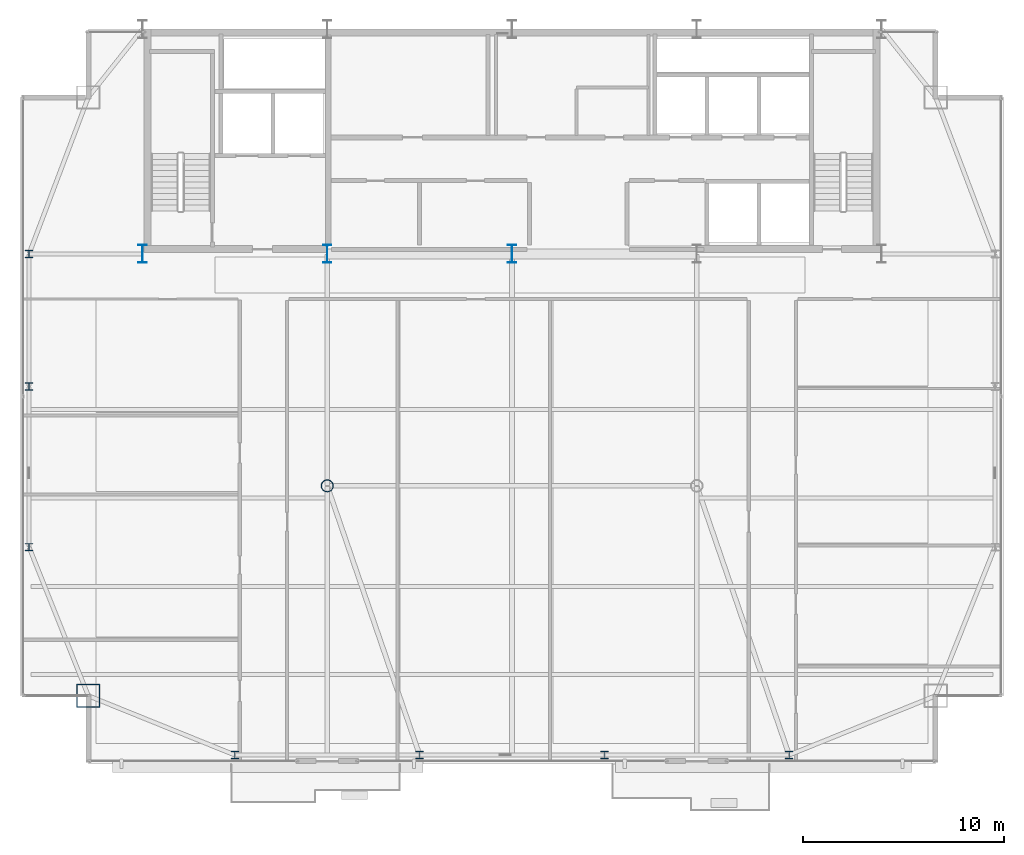
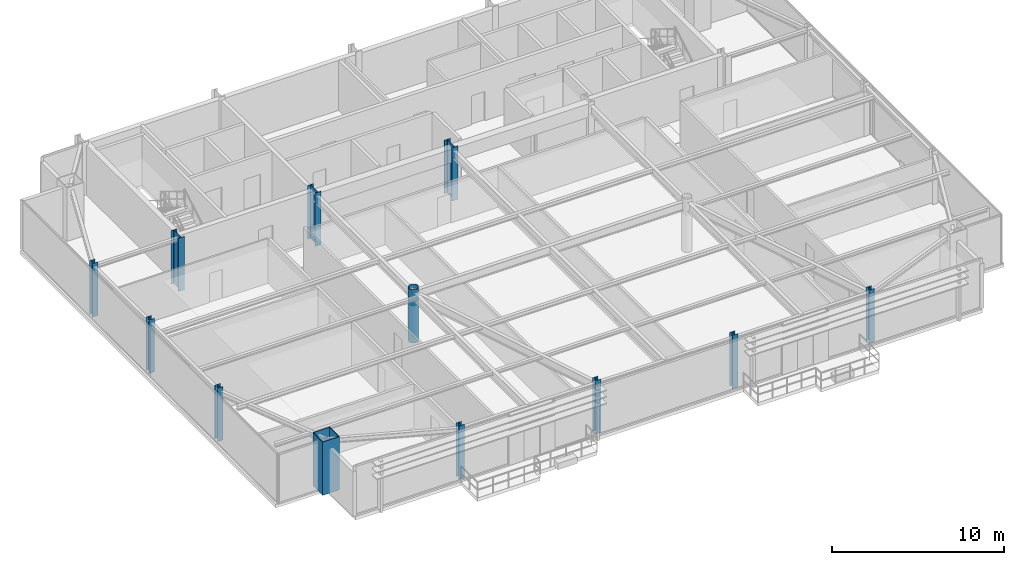
# One storey, part 1 of 30: 12 columns.
"""IFC4 building model written with IfcOpenShell, lengths in metres."""

from ifc_helpers import new_model, si_unit, direction, frame, origin, origin_2d, place, context, subcontext, project, spatial, hollow_rectangle, hollow_circle, i_section, extrude, source, transform, mapped, material, material_profile, profile_set, type_object, type_shapes, element, save


model = new_model("IFC4")

# Units and contexts
model_context = context("Model", 3, precision=1e-05, world=origin(), true_north=direction((0.0, 1.0)))
body_context = subcontext(model_context, "Body", "Model", "MODEL_VIEW")
ifc_project = project(units=[si_unit("LENGTHUNIT", "METRE"), si_unit("AREAUNIT", "SQUARE_METRE"), si_unit("VOLUMEUNIT", "CUBIC_METRE"), si_unit("PLANEANGLEUNIT", "RADIAN"), si_unit("MASSUNIT", "GRAM", prefix="KILO")], contexts=[model_context])

# Site, building, storey
site_placement = place(None, origin())
site = spatial("IfcSite", under=ifc_project, at=site_placement, CompositionType="ELEMENT")
building_placement = place(site_placement, origin())
building = spatial("IfcBuilding", under=site, at=building_placement, Name="Varnel Quay Broadcast Tower", CompositionType="ELEMENT")
storey_placement = place(building_placement, frame((0.0, 0.0, 207.39990234375)))
storey = spatial("IfcBuildingStorey", under=building, at=storey_placement, Name="L51", CompositionType="ELEMENT", Elevation=207.39990234375)

# Columns
ifc_material_1 = material(Name="Structural Steel CSA G40.21 350WT", Category="steel")
ifc_material_profile_1 = material_profile(ifc_material_1, i_section(OverallWidth=0.39990234375, OverallDepth=0.89990234375, WebThickness=0.01611328125, FlangeThickness=0.028076171875, FilletRadius=0.01611328125, at=origin_2d()), Name="WWF900X309")
ifc_profile_set_1 = profile_set([ifc_material_profile_1], Name="Structural Steel CSA G40.21 350WT")
column_type_1 = type_object("IfcColumnType", Name="Col_WWF900X309", PredefinedType="COLUMN", material=ifc_profile_set_1)
shared_shape_1 = source(origin(), body_context, "Body", "SweptSolid", [
    extrude(i_section(OverallWidth=0.39990234375, OverallDepth=0.89990234375, WebThickness=0.01611328125, FlangeThickness=0.028076171875, FilletRadius=0.01611328125, at=origin_2d()), origin(), (0.0, 0.0, 1.0), 3.800048828125),
])
type_shapes(column_type_1, [shared_shape_1])
for number, where, z_axis, x_axis, name in (
    (1, (15.60009765625, 35.60009765625, 0.0), (0.0, 0.0, 1.0), (1.0, 0.0, 0.0), "L51 Column CC-S1"),
    (2, (24.800048828125, 35.60009765625, 0.0), (0.0, 0.0, 1.0), (1.0, 0.0, 0.0), "L51 Column CC-S2"),
    (3, (34.0, 35.60009765625, 0.0), (0.0, 0.0, 1.0), (1.0, 0.0, 0.0), "L51 Column CC-S3"),
):
    element("IfcColumn", number, at=place(storey_placement, frame(where, z_axis=z_axis, x_axis=x_axis)), inside=storey, type_object=column_type_1, Name=name, PredefinedType="COLUMN", context=body_context, shape_type="MappedRepresentation", body=[
        mapped(shared_shape_1, transform((0.0, 0.0, 0.0), x_axis=(1.0, 0.0, 0.0), y_axis=(0.0, 1.0, 0.0), z_axis=(0.0, 0.0, 1.0), scale=1.0)),
    ])
ifc_material_profile_2 = material_profile(ifc_material_1, hollow_rectangle(XDim=1.14990234375, YDim=1.14990234375, WallThickness=0.044921875, at=origin_2d()), Name="BOX1150X1150X45")
ifc_profile_set_2 = profile_set([ifc_material_profile_2], Name="Structural Steel CSA G40.21 350WT")
column_type_2 = type_object("IfcColumnType", Name="Col_BOX1150X1150X45", PredefinedType="COLUMN", material=ifc_profile_set_2)
shared_shape_2 = source(origin(), body_context, "Body", "SweptSolid", [
    extrude(hollow_rectangle(XDim=1.14990234375, YDim=1.14990234375, WallThickness=0.044921875, at=origin_2d()), origin(), (0.0, 0.0, 1.0), 3.800048828125),
])
type_shapes(column_type_2, [shared_shape_2])
column_1_placement = place(storey_placement, frame((12.89990234375, 13.60009765625, 0.0), z_axis=(0.0, 0.0, 1.0), x_axis=(1.0, 0.0, 0.0)))
element("IfcColumn", 4, at=column_1_placement, inside=storey, type_object=column_type_2, Name="L51 Column MC-SW", PredefinedType="COLUMN", context=body_context, shape_type="MappedRepresentation", body=[
    mapped(shared_shape_2, transform((0.0, 0.0, 0.0), x_axis=(1.0, 0.0, 0.0), y_axis=(0.0, 1.0, 0.0), z_axis=(0.0, 0.0, 1.0), scale=1.0)),
])
ifc_material_2 = material(Name="Structural Steel CSA G40.21 350W", Category="steel")
ifc_material_profile_3 = material_profile(ifc_material_2, i_section(OverallWidth=0.368896484375, OverallDepth=0.35595703125, WebThickness=0.01123046875, FlangeThickness=0.01806640625, FilletRadius=0.01611328125, at=origin_2d()), Name="W360X134")
ifc_profile_set_3 = profile_set([ifc_material_profile_3], Name="Structural Steel CSA G40.21 350W")
column_type_3 = type_object("IfcColumnType", Name="Col_W360X134", PredefinedType="COLUMN", material=ifc_profile_set_3)
shared_shape_3 = source(origin(), body_context, "Body", "SweptSolid", [
    extrude(i_section(OverallWidth=0.368896484375, OverallDepth=0.35595703125, WebThickness=0.01123046875, FlangeThickness=0.01806640625, FilletRadius=0.01611328125, at=origin_2d()), origin(), (0.0, 0.0, 1.0), 3.800048828125),
])
type_shapes(column_type_3, [shared_shape_3])
for number, where, z_axis, x_axis, name in (
    (5, (20.199951171875, 10.64990234375, 0.0), (0.0, 0.0, 1.0), (1.0, 0.0, 0.0), "L51 Column TC-S1"),
    (6, (29.39990234375, 10.64990234375, 0.0), (0.0, 0.0, 1.0), (1.0, 0.0, 0.0), "L51 Column TC-S2"),
    (7, (38.60009765625, 10.64990234375, 0.0), (0.0, 0.0, 1.0), (1.0, 0.0, 0.0), "L51 Column TC-S3"),
    (8, (47.800048828125, 10.64990234375, 0.0), (0.0, 0.0, 1.0), (1.0, 0.0, 0.0), "L51 Column TC-S4"),
    (9, (9.949951171875, 21.0, 0.0), (0.0, 0.0, 1.0), (1.0, 0.0, 0.0), "L51 Column TC-W1"),
    (10, (9.949951171875, 29.0, 0.0), (0.0, 0.0, 1.0), (1.0, 0.0, 0.0), "L51 Column TC-W2"),
    (11, (9.949951171875, 35.60009765625, 0.0), (0.0, 0.0, 1.0), (1.0, 0.0, 0.0), "L51 Column TC-W3"),
):
    element("IfcColumn", number, at=place(storey_placement, frame(where, z_axis=z_axis, x_axis=x_axis)), inside=storey, type_object=column_type_3, Name=name, PredefinedType="COLUMN", context=body_context, shape_type="MappedRepresentation", body=[
        mapped(shared_shape_3, transform((0.0, 0.0, 0.0), x_axis=(1.0, 0.0, 0.0), y_axis=(0.0, 1.0, 0.0), z_axis=(0.0, 0.0, 1.0), scale=1.0)),
    ])
ifc_material_profile_4 = material_profile(ifc_material_2, hollow_circle(Radius=0.304931640625, WallThickness=0.02490234375, at=origin_2d()), Name="CHS610X25")
ifc_profile_set_4 = profile_set([ifc_material_profile_4], Name="Structural Steel CSA G40.21 350W")
column_type_4 = type_object("IfcColumnType", Name="Col_CHS610X25", PredefinedType="COLUMN", material=ifc_profile_set_4)
shared_shape_4 = source(origin(), body_context, "Body", "SweptSolid", [
    extrude(hollow_circle(Radius=0.304931640625, WallThickness=0.02490234375, at=origin_2d()), origin(), (0.0, 0.0, 1.0), 3.800048828125),
])
type_shapes(column_type_4, [shared_shape_4])
column_2_placement = place(storey_placement, frame((24.800048828125, 24.050048828125, 0.0), z_axis=(0.0, 0.0, 1.0), x_axis=(1.0, 0.0, 0.0)))
element("IfcColumn", 12, at=column_2_placement, inside=storey, type_object=column_type_4, Name="L51 Column IC-01", PredefinedType="COLUMN", context=body_context, shape_type="MappedRepresentation", body=[
    mapped(shared_shape_4, transform((0.0, 0.0, 0.0), x_axis=(1.0, 0.0, 0.0), y_axis=(0.0, 1.0, 0.0), z_axis=(0.0, 0.0, 1.0), scale=1.0)),
])

save(model, "model.ifc")
